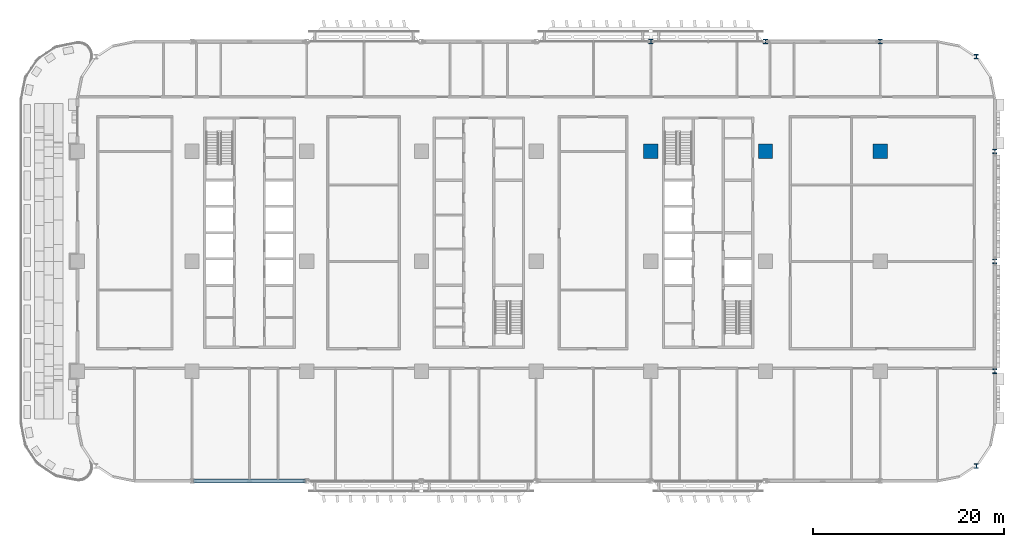
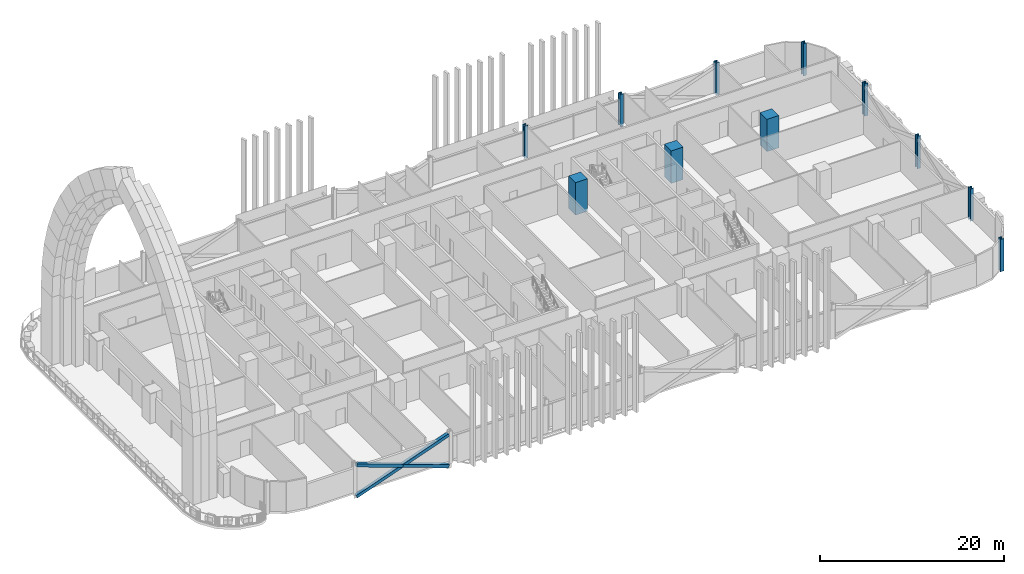
# One storey, part 2 of 29: 11 columns, 3 members.
"""IFC4 building model written with IfcOpenShell, lengths in metres."""

from ifc_helpers import new_model, si_unit, direction, frame, origin, origin_2d, place, context, subcontext, project, spatial, rectangle, hollow_rectangle, i_section, extrude, material, material_profile, profile_set, type_object, element, save


model = new_model("IFC4")

# Units and contexts
model_context = context("Model", 3, precision=1e-05, world=origin(), true_north=direction((0.0, 1.0)))
body_context = subcontext(model_context, "Body", "Model", "MODEL_VIEW")
ifc_project = project(units=[si_unit("LENGTHUNIT", "METRE"), si_unit("AREAUNIT", "SQUARE_METRE"), si_unit("VOLUMEUNIT", "CUBIC_METRE"), si_unit("PLANEANGLEUNIT", "RADIAN"), si_unit("MASSUNIT", "GRAM", prefix="KILO")], contexts=[model_context])

# Site, building, storey
site_placement = place(None, origin())
site = spatial("IfcSite", under=ifc_project, at=site_placement, CompositionType="ELEMENT")
building_placement = place(site_placement, origin())
building = spatial("IfcBuilding", under=site, at=building_placement, Name="Mahtab Terrace Research Tower", CompositionType="ELEMENT")
storey_placement = place(building_placement, frame((0.0, 0.0, 46.0)))
storey = spatial("IfcBuildingStorey", under=building, at=storey_placement, Name="L10", CompositionType="ELEMENT", Elevation=46.0)

# Columns
ifc_material_1 = material(Name="Concrete C70/85", Category="concrete")
ifc_material_profile_1 = material_profile(ifc_material_1, rectangle(XDim=1.5, YDim=1.5, at=origin_2d()), Name="RC column 1500x1500")
ifc_profile_set_1 = profile_set([ifc_material_profile_1], Name="Concrete C70/85")
column_type_1 = type_object("IfcColumnType", Name="RC column 1500x1500", PredefinedType="COLUMN", material=ifc_profile_set_1)
for number, where, z_axis, x_axis, name in (
    (1, (18.0, 11.5, -0.340087890625), (0.0, 0.0, 1.0), (1.0, 0.0, 0.0), "Column RC-6C L10"),
    (2, (30.0, 11.5, -0.340087890625), (0.0, 0.0, 1.0), (1.0, 0.0, 0.0), "Column RC-7C L10"),
    (3, (42.0, 11.5, -0.340087890625), (0.0, 0.0, 1.0), (1.0, 0.0, 0.0), "Column RC-8C L10"),
):
    element("IfcColumn", number, at=place(storey_placement, frame(where, z_axis=z_axis, x_axis=x_axis)), inside=storey, type_object=column_type_1, Name=name, PredefinedType="COLUMN", context=body_context, shape_type="SweptSolid", body=[
        extrude(rectangle(XDim=1.5, YDim=1.5, at=origin_2d()), origin(), (0.0, 0.0, 1.0), 4.300048828125),
    ])
ifc_material_2 = material(Name="Steel ASTM A992 Gr 50", Category="steel")
ifc_material_profile_2 = material_profile(ifc_material_2, i_section(OverallWidth=0.42431640625, OverallDepth=0.47509765625, WebThickness=0.0478515625, FlangeThickness=0.0771484375, at=origin_2d()), Name="W14X426")
ifc_profile_set_2 = profile_set([ifc_material_profile_2], Name="Steel ASTM A992 Gr 50")
column_type_2 = type_object("IfcColumnType", Name="W14x426 column CS14426", PredefinedType="COLUMN", material=ifc_profile_set_2)
for number, where, z_axis, x_axis, name in (
    (4, (52.06201171875, 21.416015625, -0.340087890625), (0.0, 0.0, 1.0), (1.0, 0.0, 0.0), "Column SC-023 L10"),
    (5, (42.0, 23.0, -0.340087890625), (0.0, 0.0, 1.0), (1.0, 0.0, 0.0), "Column SC-001 L10"),
    (6, (30.0, 23.0, -0.340087890625), (0.0, 0.0, 1.0), (1.0, 0.0, 0.0), "Column SC-002 L10"),
    (7, (18.0, 23.0, -0.340087890625), (0.0, 0.0, 1.0), (1.0, 0.0, 0.0), "Column SC-003 L10"),
    (8, (52.06201171875, -21.416015625, -0.340087890625), (0.0, 0.0, 1.0), (1.0, 0.0, 0.0), "Column SC-026 L10"),
    (9, (54.0, -11.5, -0.340087890625), (0.0, 0.0, 1.0), (1.0, 0.0, 0.0), "Column SC-027 L10"),
    (10, (54.0, 0.0, -0.340087890625), (0.0, 0.0, 1.0), (1.0, 0.0, 0.0), "Column SC-028 L10"),
    (11, (54.0, 11.5, -0.340087890625), (0.0, 0.0, 1.0), (1.0, 0.0, 0.0), "Column SC-029 L10"),
):
    element("IfcColumn", number, at=place(storey_placement, frame(where, z_axis=z_axis, x_axis=x_axis)), inside=storey, type_object=column_type_2, Name=name, PredefinedType="COLUMN", context=body_context, shape_type="SweptSolid", body=[
        extrude(i_section(OverallWidth=0.42431640625, OverallDepth=0.47509765625, WebThickness=0.0478515625, FlangeThickness=0.0771484375, at=origin_2d()), origin(), (0.0, 0.0, 1.0), 4.300048828125),
    ])

# Members
ifc_material_3 = material(Name="Steel ASTM A500 Gr C", Category="steel")
ifc_material_profile_3 = material_profile(ifc_material_3, hollow_rectangle(XDim=0.406494140625, YDim=0.406494140625, WallThickness=0.01904296875, at=origin_2d()), Name="HSS16X16X3/4")
ifc_profile_set_3 = profile_set([ifc_material_profile_3], Name="Steel ASTM A500 Gr C")
member_type = type_object("IfcMemberType", Name="HSS 16x16x3/4 brace XB161634", PredefinedType="BRACE", material=ifc_profile_set_3)
member_placement = place(storey_placement, frame((-29.787841796875, -23.0, -0.642333984375), z_axis=(0.941386519928, 0.0, 0.337329838731), x_axis=(0.0, 1.0, 0.0)))
element("IfcMember", 12, at=member_placement, inside=storey, type_object=member_type, Name="Exoskeleton brace L10 14 a", PredefinedType="BRACE", context=body_context, shape_type="SweptSolid", body=[
    extrude(hollow_rectangle(XDim=0.406494140625, YDim=0.406494140625, WallThickness=0.01904296875, at=origin_2d()), origin(), (0.0, 0.0, 1.0), 12.29638671875),
])
for number, where, z_axis, x_axis, name in (
    (13, (-18.212158203125, -23.0, -0.642333984375), (-0.941386519928, 0.0, 0.337329838731), (0.0, -1.0, 0.0), "Exoskeleton brace L10 14 b1"),
    (14, (-24.0, -23.0, 1.431640625), (-0.941386519928, 0.0, 0.337329838731), (0.0, -1.0, 0.0), "Exoskeleton brace L10 14 b2"),
):
    element("IfcMember", number, at=place(storey_placement, frame(where, z_axis=z_axis, x_axis=x_axis)), inside=storey, type_object=member_type, Name=name, PredefinedType="BRACE", context=body_context, shape_type="SweptSolid", body=[
        extrude(hollow_rectangle(XDim=0.406494140625, YDim=0.406494140625, WallThickness=0.01904296875, at=origin_2d()), origin(), (0.0, 0.0, 1.0), 6.148193359375),
    ])

save(model, "model.ifc")
